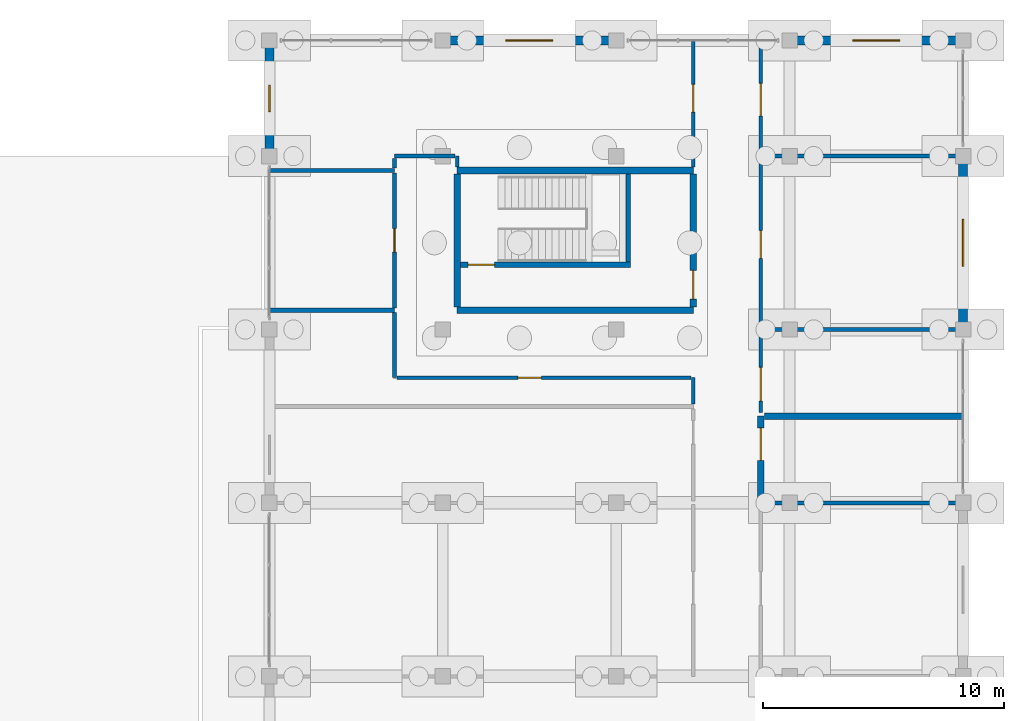
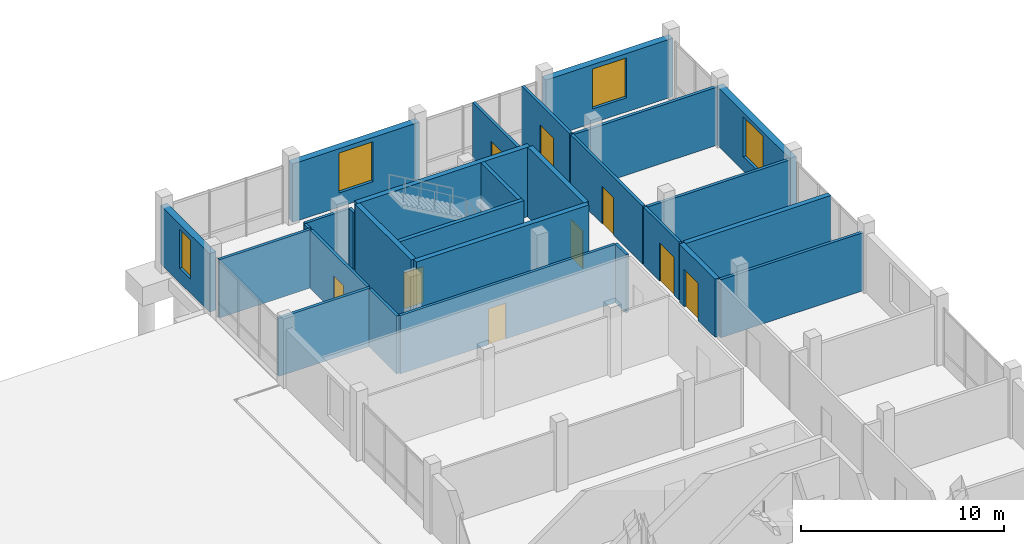
# One storey, part 85 of 98: 28 walls, 9 doors, 4 windows, 13 openings.
"""IFC4 building model written with IfcOpenShell, lengths in metres."""

import ifcopenshell
import ifcopenshell.guid

model = None  # the IFC model being written
_history = None  # IfcOwnerHistory: only IFC2X3 demands one
_inside = {}  # id of a spatial element -> (the spatial element, [elements in it])
_under = {}  # id of a project, library or spatial element -> (it, [spatial elements below it])
_declared = {}  # id of a project -> (the project, [libraries it declares])
_typed = {}  # id of a type object -> (the type object, [elements of that type])
_made_of = {}  # id of a material, layer set ... -> (it, [elements and type objects made of it])


def new_model(schema):
    """Start an empty IFC model of exactly this schema.

    Asked for "IFC4X3", IfcOpenShell would pick the latest addendum, in which some entities
    have other attributes; the version numbers below select the first issue.
    IFC2X3 requires an IfcOwnerHistory on every rooted entity: one is made here for all.
    """
    global model, _history
    if schema == "IFC4X3":
        model = ifcopenshell.file(schema_version=(4, 3, 0, 0))
    else:
        model = ifcopenshell.file(schema=schema)
    _inside.clear()
    _under.clear()
    _declared.clear()
    _typed.clear()
    _made_of.clear()
    _history = None
    if model.schema == "IFC2X3":
        org = make("IfcOrganization", Name="unknown")
        user = make(
            "IfcPersonAndOrganization",
            ThePerson=make("IfcPerson", FamilyName="unknown"),
            TheOrganization=org,
        )
        app = make(
            "IfcApplication",
            ApplicationDeveloper=org,
            Version="unknown",
            ApplicationFullName="unknown",
            ApplicationIdentifier="unknown",
        )
        _history = make(
            "IfcOwnerHistory",
            OwningUser=user,
            OwningApplication=app,
            ChangeAction="ADDED",
            CreationDate=0,
        )
    return model


def make(cls, **values):
    """One entity of the class cls with the attributes given. An attribute that is None is left unset."""
    return model.create_entity(
        cls, **{name: value for name, value in values.items() if value is not None}
    )


def rooted(cls, **values):
    """An entity with a GlobalId (a new one), such as an element, a storey or a relation."""
    return make(cls, GlobalId=ifcopenshell.guid.new(), OwnerHistory=_history, **values)


def si_unit(unit_type, name, prefix=None):
    """IfcSIUnit, for example si_unit("LENGTHUNIT", "METRE", prefix="MILLI")."""
    return make("IfcSIUnit", UnitType=unit_type, Prefix=prefix, Name=name)


def assignment(units):
    """IfcUnitAssignment: the units of a project."""
    return None if units is None else make("IfcUnitAssignment", Units=units)


def point(xyz):
    """IfcCartesianPoint."""
    return None if xyz is None else make("IfcCartesianPoint", Coordinates=xyz)


def direction(xyz):
    """IfcDirection."""
    return None if xyz is None else make("IfcDirection", DirectionRatios=xyz)


def frame(location, z_axis=None, x_axis=None):
    """IfcAxis2Placement3D, a coordinate frame: its origin and axes. An axis left out is left unset."""
    return make(
        "IfcAxis2Placement3D",
        Location=point(location),
        Axis=direction(z_axis),
        RefDirection=direction(x_axis),
    )


def frame_2d(location, x_axis=None):
    """IfcAxis2Placement2D, a coordinate frame in the plane: its origin and x axis."""
    return make(
        "IfcAxis2Placement2D", Location=point(location), RefDirection=direction(x_axis)
    )


def origin():
    """The frame at (0, 0, 0) with its axes left unset."""
    return frame((0.0, 0.0, 0.0))


def place(relative_to, where):
    """IfcLocalPlacement: puts the frame where relative to a parent placement (None: the world)."""
    return make(
        "IfcLocalPlacement", PlacementRelTo=relative_to, RelativePlacement=where
    )


def context(
    kind, dimensions, precision=None, world=None, true_north=None, identifier=None
):
    """IfcGeometricRepresentationContext, for example the 3D "Model" context."""
    return make(
        "IfcGeometricRepresentationContext",
        ContextIdentifier=identifier,
        ContextType=kind,
        CoordinateSpaceDimension=dimensions,
        Precision=precision,
        WorldCoordinateSystem=world,
        TrueNorth=true_north,
    )


def subcontext(parent, identifier, kind, view, scale=None):
    """IfcGeometricRepresentationSubContext, for example "Body" below "Model"."""
    return make(
        "IfcGeometricRepresentationSubContext",
        ContextIdentifier=identifier,
        ContextType=kind,
        ParentContext=parent,
        TargetScale=scale,
        TargetView=view,
    )


def project(units=None, contexts=None):
    """IfcProject with its units and contexts."""
    return rooted(
        "IfcProject",
        Name="project",
        RepresentationContexts=contexts,
        UnitsInContext=assignment(units),
    )


def spatial(cls, under=None, at=None, **own):
    """A site, building, storey or space (cls), placed at a placement, below another one or the project."""
    s = rooted(cls, ObjectPlacement=at, **own)
    if under is not None:
        _under.setdefault(under.id(), (under, []))[1].append(s)
    return s


def profile(cls, at=None, kind="AREA", **sizes):
    """A parametric profile (cls). Its sizes go by their IFC names, for example OverallWidth=200.0."""
    return make(cls, ProfileType=kind, Position=at, **sizes)


def rectangle(**sizes):
    """IfcRectangleProfileDef."""
    return profile("IfcRectangleProfileDef", **sizes)


def extrude(swept, where, along, depth):
    """IfcExtrudedAreaSolid: the profile swept, set in the frame where, extruded along a direction by depth."""
    return make(
        "IfcExtrudedAreaSolid",
        SweptArea=swept,
        Position=where,
        ExtrudedDirection=direction(along),
        Depth=depth,
    )


def shape(context_of_items, identifier, shape_type, items):
    """IfcShapeRepresentation: the items that make up one representation, for example the "Body"."""
    return make(
        "IfcShapeRepresentation",
        ContextOfItems=context_of_items,
        RepresentationIdentifier=identifier,
        RepresentationType=shape_type,
        Items=items,
    )


def material(Name=None, Category=None):
    """IfcMaterial."""
    return make("IfcMaterial", Name=Name, Category=Category)


def layer(
    of_material, thickness, ventilated=None, Name=None, Category=None, Priority=None
):
    """IfcMaterialLayer: one layer of a wall or slab, of a material (None: an air gap)."""
    return make(
        "IfcMaterialLayer",
        Material=of_material,
        LayerThickness=thickness,
        IsVentilated=ventilated,
        Name=Name,
        Category=Category,
        Priority=Priority,
    )


def layer_set(layers, Name=None):
    """IfcMaterialLayerSet."""
    return make("IfcMaterialLayerSet", MaterialLayers=layers, LayerSetName=Name)


def made_of(thing, what):
    """Note that an element or type object is made of a material, layer set ...; save() writes the relation."""
    if what is not None:
        _made_of.setdefault(what.id(), (what, []))[1].append(thing)
    return thing


def type_object(cls, material=None, **own):
    """A type object (cls), such as IfcWallType, which elements share."""
    return made_of(rooted(cls, **own), material)


def element(
    cls,
    number,
    at=None,
    inside=None,
    cuts=None,
    type_object=None,
    material=None,
    context=None,
    identifier="Body",
    shape_type=None,
    held_by="IfcProductDefinitionShape",
    body=None,
    shapes=None,
    **own,
):
    """One element of the class cls, such as IfcWall. Its Tag is "e" and its number.

    at: its placement. inside: the storey or other place that contains it. cuts: it is an
    opening in that element (IfcRelVoidsElement). A single representation is given by context,
    identifier, shape_type and body (its items); several are given by shapes. held_by: the class
    of the entity that holds the representations. save() writes the other relations.
    """
    e = rooted(cls, Tag="e%d" % number, ObjectPlacement=at, **own)
    if body is not None:
        shapes = [shape(context, identifier, shape_type, body)]
    if shapes is not None:
        e.Representation = make(held_by, Representations=shapes)
    if inside is not None:
        _inside.setdefault(inside.id(), (inside, []))[1].append(e)
    if cuts is not None:
        rooted(
            "IfcRelVoidsElement", RelatingBuildingElement=cuts, RelatedOpeningElement=e
        )
    if type_object is not None:
        _typed.setdefault(type_object.id(), (type_object, []))[1].append(e)
    return made_of(e, material)


def fill(opening, filler):
    """IfcRelFillsElement: the door or window that sits in an opening."""
    return rooted(
        "IfcRelFillsElement",
        RelatingOpeningElement=opening,
        RelatedBuildingElement=filler,
    )


def aggregate(whole, parts):
    """IfcRelAggregates: a whole, such as a stair, and the parts it consists of."""
    return rooted("IfcRelAggregates", RelatingObject=whole, RelatedObjects=parts)


def save(model, path):
    """Write the relations noted so far, then the file.

    IfcRelAggregates (storeys below a building ...), IfcRelContainedInSpatialStructure (elements
    in a storey), IfcRelDefinesByType, IfcRelAssociatesMaterial and IfcRelDeclares: one each for
    every whole, place, type object, material and project.
    """
    for whole, parts in _under.values():
        aggregate(whole, parts)
    for where, things in _inside.values():
        rooted(
            "IfcRelContainedInSpatialStructure",
            RelatedElements=things,
            RelatingStructure=where,
        )
    for kind, things in _typed.values():
        rooted("IfcRelDefinesByType", RelatedObjects=things, RelatingType=kind)
    for what, things in _made_of.values():
        rooted("IfcRelAssociatesMaterial", RelatedObjects=things, RelatingMaterial=what)
    for by, libraries in _declared.values():
        rooted("IfcRelDeclares", RelatingContext=by, RelatedDefinitions=libraries)
    model.write(path)


model = new_model("IFC4")

# Units and contexts
model_context = context("Model", 3, precision=1e-05, world=origin(), true_north=direction((0.0, 1.0)))
body_context = subcontext(model_context, "Body", "Model", "MODEL_VIEW")
ifc_project = project(units=[si_unit("LENGTHUNIT", "METRE"), si_unit("AREAUNIT", "SQUARE_METRE"), si_unit("VOLUMEUNIT", "CUBIC_METRE"), si_unit("PLANEANGLEUNIT", "RADIAN"), si_unit("MASSUNIT", "GRAM", prefix="KILO")], contexts=[model_context])

# Site, building, storey
site_placement = place(None, origin())
site = spatial("IfcSite", under=ifc_project, at=site_placement, CompositionType="ELEMENT")
building_placement = place(site_placement, origin())
building = spatial("IfcBuilding", under=site, at=building_placement, Name="Zornivar Specialist Clinic", CompositionType="ELEMENT")
storey_placement = place(building_placement, origin())
storey = spatial("IfcBuildingStorey", under=building, at=storey_placement, Name="L00", CompositionType="ELEMENT", Elevation=0.0)

# Wall, opening, window
ifc_material_1 = material(Name="Masonry Vratsa Limestone and Brick Banded Wall", Category="masonry")
ifc_layer_1 = layer(ifc_material_1, 0.3798828125)
ifc_layer_set_1 = layer_set([ifc_layer_1], Name="Masonry Vratsa Limestone and Brick Banded Wall")
wall_type_1 = type_object("IfcWallType", Name="EW-LIMESTONE-380", PredefinedType="SOLIDWALL", material=ifc_layer_set_1)
wall_1_placement = place(storey_placement, frame((165.60009765625, 100.800048828125, 0.0), z_axis=(0.0, 0.0, 1.0), x_axis=(0.0, 1.0, 0.0)))
wall_1 = element("IfcWall", 1, at=wall_1_placement, inside=storey, type_object=wall_type_1, Name="ew:V6:L00:09", PredefinedType="SOLIDWALL", context=body_context, shape_type="SweptSolid", body=[
    extrude(rectangle(XDim=7.199951171875, YDim=0.3798828125, at=frame_2d((3.60009765625, 0.0))), origin(), (0.0, 0.0, 1.0), 3.510009765625),
])
opening_1_placement = place(wall_1_placement, frame((2.625, 0.0, 0.85009765625)))
opening_1 = element("IfcOpeningElement", 2, at=opening_1_placement, cuts=wall_1, Name="Opening W-19", PredefinedType="OPENING", context=body_context, shape_type="SweptSolid", body=[
    extrude(rectangle(XDim=1.949951171875, YDim=2.39990234375, at=frame_2d((0.97509765625, 1.199951171875))), frame((0.0, 0.199951171875, 0.0), z_axis=(0.0, -1.0, 0.0), x_axis=(1.0, 0.0, 0.0)), (0.0, 0.0, 1.0), 0.39990234375),
])
ifc_material_2 = material(Name="Triple-Glazed Aluminium-Timber Window Glass", Category="wood")
window_type_1 = type_object("IfcWindowType", Name="WIN-TEACH-GND-1950x2400", PartitioningType="SINGLE_PANEL", PredefinedType="WINDOW", material=ifc_material_2)
window_1_placement = place(opening_1_placement, origin())
window_1 = element("IfcWindow", 3, at=window_1_placement, inside=storey, type_object=window_type_1, Name="win:V6:L00:09", OverallHeight=2.39990234375, OverallWidth=1.949951171875, PartitioningType="SINGLE_PANEL", PredefinedType="WINDOW", context=body_context, shape_type="SweptSolid", body=[
    extrude(rectangle(XDim=1.949951171875, YDim=2.39990234375, at=frame_2d((0.97509765625, 1.199951171875))), frame((0.0, 0.030029296875, 0.0), z_axis=(0.0, -1.0, 0.0), x_axis=(1.0, 0.0, 0.0)), (0.0, 0.0, 1.0), 0.06005859375),
])
fill(opening_1, window_1)

wall_2_placement = place(storey_placement, frame((165.60009765625, 112.800048828125, 0.0), z_axis=(0.0, 0.0, 1.0), x_axis=(-1.0, 0.0, 0.0)))
wall_2 = element("IfcWall", 4, at=wall_2_placement, inside=storey, type_object=wall_type_1, Name="ew:V6:L00:11", PredefinedType="SOLIDWALL", context=body_context, shape_type="SweptSolid", body=[
    extrude(rectangle(XDim=7.2001953125, YDim=0.3798828125, at=frame_2d((3.60009765625, 0.0))), origin(), (0.0, 0.0, 1.0), 3.510009765625),
])
opening_2_placement = place(wall_2_placement, frame((2.625, 0.0, 0.85009765625)))
opening_2 = element("IfcOpeningElement", 5, at=opening_2_placement, cuts=wall_2, Name="Opening W-19", PredefinedType="OPENING", context=body_context, shape_type="SweptSolid", body=[
    extrude(rectangle(XDim=1.949951171875, YDim=2.39990234375, at=frame_2d((0.97509765625, 1.199951171875))), frame((0.0, 0.199951171875, 0.0), z_axis=(0.0, -1.0, 0.0), x_axis=(1.0, 0.0, 0.0)), (0.0, 0.0, 1.0), 0.39990234375),
])
window_2_placement = place(opening_2_placement, origin())
window_2 = element("IfcWindow", 6, at=window_2_placement, inside=storey, type_object=window_type_1, Name="win:V6:L00:11", OverallHeight=2.39990234375, OverallWidth=1.949951171875, PartitioningType="SINGLE_PANEL", PredefinedType="WINDOW", context=body_context, shape_type="SweptSolid", body=[
    extrude(rectangle(XDim=1.949951171875, YDim=2.39990234375, at=frame_2d((0.97509765625, 1.199951171875))), frame((0.0, 0.030029296875, 0.0), z_axis=(0.0, -1.0, 0.0), x_axis=(1.0, 0.0, 0.0)), (0.0, 0.0, 1.0), 0.06005859375),
])
fill(opening_2, window_2)

wall_3_placement = place(storey_placement, frame((151.199951171875, 112.800048828125, 0.0), z_axis=(0.0, 0.0, 1.0), x_axis=(-1.0, 0.0, 0.0)))
wall_3 = element("IfcWall", 7, at=wall_3_placement, inside=storey, type_object=wall_type_1, Name="ew:V6:L00:13", PredefinedType="SOLIDWALL", context=body_context, shape_type="SweptSolid", body=[
    extrude(rectangle(XDim=7.199951171875, YDim=0.3798828125, at=frame_2d((3.60009765625, 0.0))), origin(), (0.0, 0.0, 1.0), 3.510009765625),
])
opening_3_placement = place(wall_3_placement, frame((2.625, 0.0, 0.85009765625)))
opening_3 = element("IfcOpeningElement", 8, at=opening_3_placement, cuts=wall_3, Name="Opening W-19", PredefinedType="OPENING", context=body_context, shape_type="SweptSolid", body=[
    extrude(rectangle(XDim=1.949951171875, YDim=2.39990234375, at=frame_2d((0.97509765625, 1.199951171875))), frame((0.0, 0.199951171875, 0.0), z_axis=(0.0, -1.0, 0.0), x_axis=(1.0, 0.0, 0.0)), (0.0, 0.0, 1.0), 0.39990234375),
])
window_3_placement = place(opening_3_placement, origin())
window_3 = element("IfcWindow", 9, at=window_3_placement, inside=storey, type_object=window_type_1, Name="win:V6:L00:13", OverallHeight=2.39990234375, OverallWidth=1.949951171875, PartitioningType="SINGLE_PANEL", PredefinedType="WINDOW", context=body_context, shape_type="SweptSolid", body=[
    extrude(rectangle(XDim=1.949951171875, YDim=2.39990234375, at=frame_2d((0.97509765625, 1.199951171875))), frame((0.0, 0.030029296875, 0.0), z_axis=(0.0, -1.0, 0.0), x_axis=(1.0, 0.0, 0.0)), (0.0, 0.0, 1.0), 0.06005859375),
])
fill(opening_3, window_3)

wall_4_placement = place(storey_placement, frame((136.800048828125, 112.800048828125, 0.0), z_axis=(0.0, 0.0, 1.0), x_axis=(0.0, -1.0, 0.0)))
wall_4 = element("IfcWall", 10, at=wall_4_placement, inside=storey, type_object=wall_type_1, Name="ew:V6:L00:15", PredefinedType="SOLIDWALL", context=body_context, shape_type="SweptSolid", body=[
    extrude(rectangle(XDim=4.800048828125, YDim=0.3798828125, at=frame_2d((2.39990234375, 0.0))), origin(), (0.0, 0.0, 1.0), 3.510009765625),
])
opening_4_placement = place(wall_4_placement, frame((1.85009765625, 0.0, 0.85009765625)))
opening_4 = element("IfcOpeningElement", 11, at=opening_4_placement, cuts=wall_4, Name="Opening W-04", PredefinedType="OPENING", context=body_context, shape_type="SweptSolid", body=[
    extrude(rectangle(XDim=1.10009765625, YDim=2.35009765625, at=frame_2d((0.550048828125, 1.175048828125))), frame((0.0, 0.199951171875, 0.0), z_axis=(0.0, -1.0, 0.0), x_axis=(1.0, 0.0, 0.0)), (0.0, 0.0, 1.0), 0.39990234375),
])
ifc_material_3 = material(Name="Triple-Glazed Aluminium-Timber Window Glass", Category="wood")
window_type_2 = type_object("IfcWindowType", Name="WIN-PLINTH-PIER-1100x2350", PartitioningType="SINGLE_PANEL", PredefinedType="WINDOW", material=ifc_material_3)
window_4_placement = place(opening_4_placement, origin())
window_4 = element("IfcWindow", 12, at=window_4_placement, inside=storey, type_object=window_type_2, Name="win:V6:L00:15", OverallHeight=2.35009765625, OverallWidth=1.10009765625, PartitioningType="SINGLE_PANEL", PredefinedType="WINDOW", context=body_context, shape_type="SweptSolid", body=[
    extrude(rectangle(XDim=1.10009765625, YDim=2.35009765625, at=frame_2d((0.550048828125, 1.175048828125))), frame((0.0, 0.030029296875, 0.0), z_axis=(0.0, -1.0, 0.0), x_axis=(1.0, 0.0, 0.0)), (0.0, 0.0, 1.0), 0.06005859375),
])
fill(opening_4, window_4)

# Wall, opening, door
ifc_material_4 = material(Name="High-Mass Acoustic Auditorium and Audiometry Partition")
ifc_layer_2 = layer(ifc_material_4, 0.27001953125)
ifc_layer_set_2 = layer_set([ifc_layer_2], Name="High-Mass Acoustic Auditorium and Audiometry Partition")
wall_type_2 = type_object("IfcWallType", Name="IW-ACOUSTIC-AUD-270", PredefinedType="PARTITIONING", material=ifc_layer_set_2)
wall_5_placement = place(storey_placement, frame((157.199951171875, 93.698974609375, 0.0), z_axis=(0.0, 0.0, 1.0), x_axis=(0.0, 1.0, 0.0)))
wall_5 = element("IfcWall", 13, at=wall_5_placement, inside=storey, type_object=wall_type_2, Name="iw:L00:231", PredefinedType="PARTITIONING", context=body_context, shape_type="SweptSolid", body=[
    extrude(rectangle(XDim=3.5009765625, YDim=0.27001953125, at=frame_2d((1.75048828125, 0.0))), origin(), (0.0, 0.0, 1.0), 3.489990234375),
])
opening_5_placement = place(wall_5_placement, frame((1.6708984375, 0.0, 0.0)))
opening_5 = element("IfcOpeningElement", 14, at=opening_5_placement, cuts=wall_5, Name="Opening ID-10", PredefinedType="OPENING", context=body_context, shape_type="SweptSolid", body=[
    extrude(rectangle(XDim=1.35009765625, YDim=2.25, at=frame_2d((0.675048828125, 1.125))), frame((0.0, 0.14501953125, 0.0), z_axis=(0.0, -1.0, 0.0), x_axis=(1.0, 0.0, 0.0)), (0.0, 0.0, 1.0), 0.2900390625),
])
ifc_material_5 = material(Name="Solid-Core Hygienic Laminate Timber Door", Category="wood")
door_type_1 = type_object("IfcDoorType", Name="ID-TEACH-1350x2250", OperationType="NOTDEFINED", PredefinedType="DOOR", material=ifc_material_5)
door_1_placement = place(opening_5_placement, origin())
door_1 = element("IfcDoor", 15, at=door_1_placement, inside=storey, type_object=door_type_1, Name="door:space:V6:L00:rm:12", OperationType="SINGLE_SWING_RIGHT", OverallHeight=2.25, OverallWidth=1.35009765625, PredefinedType="DOOR", context=body_context, shape_type="SweptSolid", body=[
    extrude(rectangle(XDim=1.35009765625, YDim=2.25, at=frame_2d((0.675048828125, 1.125))), frame((0.0, 0.02490234375, 0.0), z_axis=(0.0, -1.0, 0.0), x_axis=(1.0, 0.0, 0.0)), (0.0, 0.0, 1.0), 0.050048828125),
])
fill(opening_5, door_1)

# Walls
wall_6_placement = place(storey_placement, frame((157.34912109375, 97.199951171875, 0.0), z_axis=(0.0, 0.0, 1.0), x_axis=(1.0, 0.0, 0.0)))
element("IfcWall", 16, at=wall_6_placement, inside=storey, type_object=wall_type_2, Name="iw:L00:232", PredefinedType="PARTITIONING", context=body_context, shape_type="SweptSolid", body=[
    extrude(rectangle(XDim=8.2509765625, YDim=0.27001953125, at=frame_2d((4.12548828125, 0.0))), origin(), (0.0, 0.0, 1.0), 3.489990234375),
])
ifc_material_6 = material(Name="Gypsum Fire-Rated Double Stud Partition")
ifc_layer_3 = layer(ifc_material_6, 0.159912109375)
ifc_layer_set_3 = layer_set([ifc_layer_3], Name="Gypsum Fire-Rated Double Stud Partition")
wall_type_3 = type_object("IfcWallType", Name="IW-CORR-EI60-160", PredefinedType="PARTITIONING", material=ifc_layer_set_3)
wall_7_placement = place(storey_placement, frame((154.39990234375, 98.800048828125, 0.0), z_axis=(0.0, 0.0, 1.0), x_axis=(0.0, -1.0, 0.0)))
element("IfcWall", 17, at=wall_7_placement, inside=storey, type_object=wall_type_3, Name="iw:L00:213", PredefinedType="PARTITIONING", context=body_context, shape_type="SweptSolid", body=[
    extrude(rectangle(XDim=1.10107421875, YDim=0.159912109375, at=frame_2d((0.550537109375, 0.0))), origin(), (0.0, 0.0, 1.0), 3.489990234375),
])
wall_8_placement = place(storey_placement, frame((142.0, 101.5009765625, 0.0), z_axis=(0.0, 0.0, 1.0), x_axis=(0.0, -1.0, 0.0)))
element("IfcWall", 18, at=wall_8_placement, inside=storey, type_object=wall_type_3, Name="iw:L00:215", PredefinedType="PARTITIONING", context=body_context, shape_type="SweptSolid", body=[
    extrude(rectangle(XDim=2.700927734375, YDim=0.159912109375, at=frame_2d((1.3505859375, 0.0))), origin(), (0.0, 0.0, 1.0), 3.489990234375),
])

# Wall, opening, door
wall_9_placement = place(storey_placement, frame((142.093994140625, 98.800048828125, 0.0), z_axis=(0.0, 0.0, 1.0), x_axis=(1.0, 0.0, 0.0)))
wall_9 = element("IfcWall", 19, at=wall_9_placement, inside=storey, type_object=wall_type_3, Name="iw:L00:216", PredefinedType="PARTITIONING", context=body_context, shape_type="SweptSolid", body=[
    extrude(rectangle(XDim=12.2119140625, YDim=0.159912109375, at=frame_2d((6.10595703125, 0.0))), origin(), (0.0, 0.0, 1.0), 3.489990234375),
])
opening_6_placement = place(wall_9_placement, frame((5.01904296875, 0.0, 0.0)))
opening_6 = element("IfcOpeningElement", 20, at=opening_6_placement, cuts=wall_9, Name="Opening ID-09", PredefinedType="OPENING", context=body_context, shape_type="SweptSolid", body=[
    extrude(rectangle(XDim=0.97998046875, YDim=2.14990234375, at=frame_2d((0.489990234375, 1.074951171875))), frame((0.0, 0.08984375, 0.0), z_axis=(0.0, -1.0, 0.0), x_axis=(1.0, 0.0, 0.0)), (0.0, 0.0, 1.0), 0.179931640625),
])
ifc_material_7 = material(Name="Solid-Core Hygienic Laminate Timber Door", Category="wood")
door_type_2 = type_object("IfcDoorType", Name="ID-STAFF-0980x2150", OperationType="NOTDEFINED", PredefinedType="DOOR", material=ifc_material_7)
door_2_placement = place(opening_6_placement, origin())
door_2 = element("IfcDoor", 21, at=door_2_placement, inside=storey, type_object=door_type_2, Name="door:space:V6:L00:rm:05", OperationType="SINGLE_SWING_LEFT", OverallHeight=2.14990234375, OverallWidth=0.97998046875, PredefinedType="DOOR", context=body_context, shape_type="SweptSolid", body=[
    extrude(rectangle(XDim=0.97998046875, YDim=2.14990234375, at=frame_2d((0.489990234375, 1.074951171875))), frame((0.0, 0.02490234375, 0.0), z_axis=(0.0, -1.0, 0.0), x_axis=(1.0, 0.0, 0.0)), (0.0, 0.0, 1.0), 0.050048828125),
])
fill(opening_6, door_2)

wall_10_placement = place(storey_placement, frame((142.0, 107.301025390625, 0.0), z_axis=(0.0, 0.0, 1.0), x_axis=(0.0, -1.0, 0.0)))
wall_10 = element("IfcWall", 22, at=wall_10_placement, inside=storey, type_object=wall_type_3, Name="iw:L00:218", PredefinedType="PARTITIONING", context=body_context, shape_type="SweptSolid", body=[
    extrude(rectangle(XDim=5.60205078125, YDim=0.159912109375, at=frame_2d((2.801025390625, 0.0))), origin(), (0.0, 0.0, 1.0), 3.489990234375),
])
opening_7_placement = place(wall_10_placement, frame((2.31103515625, 0.0, 0.0)))
opening_7 = element("IfcOpeningElement", 23, at=opening_7_placement, cuts=wall_10, Name="Opening ID-09", PredefinedType="OPENING", context=body_context, shape_type="SweptSolid", body=[
    extrude(rectangle(XDim=0.97998046875, YDim=2.14990234375, at=frame_2d((0.489990234375, 1.074951171875))), frame((0.0, 0.08984375, 0.0), z_axis=(0.0, -1.0, 0.0), x_axis=(1.0, 0.0, 0.0)), (0.0, 0.0, 1.0), 0.179931640625),
])
door_3_placement = place(opening_7_placement, origin())
door_3 = element("IfcDoor", 24, at=door_3_placement, inside=storey, type_object=door_type_2, Name="door:space:V6:L00:rm:06", OperationType="SINGLE_SWING_RIGHT", OverallHeight=2.14990234375, OverallWidth=0.97998046875, PredefinedType="DOOR", context=body_context, shape_type="SweptSolid", body=[
    extrude(rectangle(XDim=0.97998046875, YDim=2.14990234375, at=frame_2d((0.489990234375, 1.074951171875))), frame((0.0, 0.02490234375, 0.0), z_axis=(0.0, -1.0, 0.0), x_axis=(1.0, 0.0, 0.0)), (0.0, 0.0, 1.0), 0.050048828125),
])
fill(opening_7, door_3)

# Walls
wall_11_placement = place(storey_placement, frame((144.60009765625, 107.554931640625, 0.0), z_axis=(0.0, 0.0, 1.0), x_axis=(0.0, 1.0, 0.0)))
element("IfcWall", 25, at=wall_11_placement, inside=storey, type_object=wall_type_3, Name="iw:L00:219", PredefinedType="PARTITIONING", context=body_context, shape_type="SweptSolid", body=[
    extrude(rectangle(XDim=0.445068359375, YDim=0.159912109375, at=frame_2d((0.22265625, 0.0))), origin(), (0.0, 0.0, 1.0), 3.489990234375),
])
wall_12_placement = place(storey_placement, frame((144.506103515625, 108.0, 0.0), z_axis=(0.0, 0.0, 1.0), x_axis=(-1.0, 0.0, 0.0)))
element("IfcWall", 26, at=wall_12_placement, inside=storey, type_object=wall_type_3, Name="iw:L00:220", PredefinedType="PARTITIONING", context=body_context, shape_type="SweptSolid", body=[
    extrude(rectangle(XDim=2.506103515625, YDim=0.159912109375, at=frame_2d((1.2529296875, 0.0))), origin(), (0.0, 0.0, 1.0), 3.489990234375),
])
wall_13_placement = place(storey_placement, frame((142.0, 107.906005859375, 0.0), z_axis=(0.0, 0.0, 1.0), x_axis=(0.0, -1.0, 0.0)))
element("IfcWall", 27, at=wall_13_placement, inside=storey, type_object=wall_type_3, Name="iw:L00:221", PredefinedType="PARTITIONING", context=body_context, shape_type="SweptSolid", body=[
    extrude(rectangle(XDim=0.406982421875, YDim=0.159912109375, at=frame_2d((0.20361328125, 0.0))), origin(), (0.0, 0.0, 1.0), 3.489990234375),
])

# Wall, opening, door
wall_14_placement = place(storey_placement, frame((154.39990234375, 112.800048828125, 0.0), z_axis=(0.0, 0.0, 1.0), x_axis=(0.0, -1.0, 0.0)))
wall_14 = element("IfcWall", 28, at=wall_14_placement, inside=storey, type_object=wall_type_3, Name="iw:L00:222", PredefinedType="PARTITIONING", context=body_context, shape_type="SweptSolid", body=[
    extrude(rectangle(XDim=5.2451171875, YDim=0.159912109375, at=frame_2d((2.62255859375, 0.0))), origin(), (0.0, 0.0, 1.0), 3.489990234375),
])
opening_8_placement = place(wall_14_placement, frame((1.823974609375, 0.0, 0.0)))
opening_8 = element("IfcOpeningElement", 29, at=opening_8_placement, cuts=wall_14, Name="Opening ID-06", PredefinedType="OPENING", context=body_context, shape_type="SweptSolid", body=[
    extrude(rectangle(XDim=1.14990234375, YDim=2.25, at=frame_2d((0.574951171875, 1.125))), frame((0.0, 0.08984375, 0.0), z_axis=(0.0, -1.0, 0.0), x_axis=(1.0, 0.0, 0.0)), (0.0, 0.0, 1.0), 0.179931640625),
])
ifc_material_8 = material(Name="Solid-Core Hygienic Laminate Timber Door", Category="wood")
door_type_3 = type_object("IfcDoorType", Name="ID-LAB-1150x2250", OperationType="NOTDEFINED", PredefinedType="DOOR", material=ifc_material_8)
door_4_placement = place(opening_8_placement, origin())
door_4 = element("IfcDoor", 30, at=door_4_placement, inside=storey, type_object=door_type_3, Name="door:space:V6:L00:rm:07", OperationType="SINGLE_SWING_LEFT", OverallHeight=2.25, OverallWidth=1.14990234375, PredefinedType="DOOR", context=body_context, shape_type="SweptSolid", body=[
    extrude(rectangle(XDim=1.14990234375, YDim=2.25, at=frame_2d((0.574951171875, 1.125))), frame((0.0, 0.02490234375, 0.0), z_axis=(0.0, -1.0, 0.0), x_axis=(1.0, 0.0, 0.0)), (0.0, 0.0, 1.0), 0.050048828125),
])
fill(opening_8, door_4)

wall_15_placement = place(storey_placement, frame((157.199951171875, 97.34912109375, 0.0), z_axis=(0.0, 0.0, 1.0), x_axis=(0.0, 1.0, 0.0)))
wall_15 = element("IfcWall", 31, at=wall_15_placement, inside=storey, type_object=wall_type_3, Name="iw:L00:233", PredefinedType="PARTITIONING", context=body_context, shape_type="SweptSolid", body=[
    extrude(rectangle(XDim=3.450927734375, YDim=0.159912109375, at=frame_2d((1.7255859375, 0.0))), origin(), (0.0, 0.0, 1.0), 3.489990234375),
])
opening_9_placement = place(wall_15_placement, frame((0.47998046875, 0.0, 0.0)))
opening_9 = element("IfcOpeningElement", 32, at=opening_9_placement, cuts=wall_15, Name="Opening ID-12", PredefinedType="OPENING", context=body_context, shape_type="SweptSolid", body=[
    extrude(rectangle(XDim=1.39990234375, YDim=2.300048828125, at=frame_2d((0.699951171875, 1.14990234375))), frame((0.0, 0.08984375, 0.0), z_axis=(0.0, -1.0, 0.0), x_axis=(1.0, 0.0, 0.0)), (0.0, 0.0, 1.0), 0.179931640625),
])
ifc_material_9 = material(Name="Solid-Core Hygienic Laminate Timber Door", Category="wood")
door_type_4 = type_object("IfcDoorType", Name="ID-WAIT-1400x2300", OperationType="NOTDEFINED", PredefinedType="DOOR", material=ifc_material_9)
door_5_placement = place(opening_9_placement, origin())
door_5 = element("IfcDoor", 33, at=door_5_placement, inside=storey, type_object=door_type_4, Name="door:space:V6:L00:rm:13", OperationType="DOUBLE_DOOR_SINGLE_SWING", OverallHeight=2.300048828125, OverallWidth=1.39990234375, PredefinedType="DOOR", context=body_context, shape_type="SweptSolid", body=[
    extrude(rectangle(XDim=1.39990234375, YDim=2.300048828125, at=frame_2d((0.699951171875, 1.14990234375))), frame((0.0, 0.02490234375, 0.0), z_axis=(0.0, -1.0, 0.0), x_axis=(1.0, 0.0, 0.0)), (0.0, 0.0, 1.0), 0.050048828125),
])
fill(opening_9, door_5)

wall_16_placement = place(storey_placement, frame((157.199951171875, 100.89892578125, 0.0), z_axis=(0.0, 0.0, 1.0), x_axis=(0.0, 1.0, 0.0)))
wall_16 = element("IfcWall", 34, at=wall_16_placement, inside=storey, type_object=wall_type_3, Name="iw:L00:235", PredefinedType="PARTITIONING", context=body_context, shape_type="SweptSolid", body=[
    extrude(rectangle(XDim=7.10107421875, YDim=0.159912109375, at=frame_2d((3.550537109375, 0.0))), origin(), (0.0, 0.0, 1.0), 3.489990234375),
])
opening_10_placement = place(wall_16_placement, frame((2.85693359375, 0.0, 0.0)))
opening_10 = element("IfcOpeningElement", 35, at=opening_10_placement, cuts=wall_16, Name="Opening ID-06", PredefinedType="OPENING", context=body_context, shape_type="SweptSolid", body=[
    extrude(rectangle(XDim=1.14990234375, YDim=2.25, at=frame_2d((0.574951171875, 1.125))), frame((0.0, 0.08984375, 0.0), z_axis=(0.0, -1.0, 0.0), x_axis=(1.0, 0.0, 0.0)), (0.0, 0.0, 1.0), 0.179931640625),
])
door_6_placement = place(opening_10_placement, origin())
door_6 = element("IfcDoor", 36, at=door_6_placement, inside=storey, type_object=door_type_3, Name="door:space:V6:L00:rm:14", OperationType="SINGLE_SWING_RIGHT", OverallHeight=2.25, OverallWidth=1.14990234375, PredefinedType="DOOR", context=body_context, shape_type="SweptSolid", body=[
    extrude(rectangle(XDim=1.14990234375, YDim=2.25, at=frame_2d((0.574951171875, 1.125))), frame((0.0, 0.02490234375, 0.0), z_axis=(0.0, -1.0, 0.0), x_axis=(1.0, 0.0, 0.0)), (0.0, 0.0, 1.0), 0.050048828125),
])
fill(opening_10, door_6)

wall_17_placement = place(storey_placement, frame((157.199951171875, 108.09912109375, 0.0), z_axis=(0.0, 0.0, 1.0), x_axis=(0.0, 1.0, 0.0)))
wall_17 = element("IfcWall", 37, at=wall_17_placement, inside=storey, type_object=wall_type_3, Name="iw:L00:237", PredefinedType="PARTITIONING", context=body_context, shape_type="SweptSolid", body=[
    extrude(rectangle(XDim=4.700927734375, YDim=0.159912109375, at=frame_2d((2.3505859375, 0.0))), origin(), (0.0, 0.0, 1.0), 3.489990234375),
])
opening_11_placement = place(wall_17_placement, frame((1.56689453125, 0.0, 0.0)))
opening_11 = element("IfcOpeningElement", 38, at=opening_11_placement, cuts=wall_17, Name="Opening ID-10", PredefinedType="OPENING", context=body_context, shape_type="SweptSolid", body=[
    extrude(rectangle(XDim=1.35009765625, YDim=2.25, at=frame_2d((0.675048828125, 1.125))), frame((0.0, 0.08984375, 0.0), z_axis=(0.0, -1.0, 0.0), x_axis=(1.0, 0.0, 0.0)), (0.0, 0.0, 1.0), 0.179931640625),
])
door_7_placement = place(opening_11_placement, origin())
door_7 = element("IfcDoor", 39, at=door_7_placement, inside=storey, type_object=door_type_1, Name="door:space:V6:L00:rm:15", OperationType="SINGLE_SWING_LEFT", OverallHeight=2.25, OverallWidth=1.35009765625, PredefinedType="DOOR", context=body_context, shape_type="SweptSolid", body=[
    extrude(rectangle(XDim=1.35009765625, YDim=2.25, at=frame_2d((0.675048828125, 1.125))), frame((0.0, 0.02490234375, 0.0), z_axis=(0.0, -1.0, 0.0), x_axis=(1.0, 0.0, 0.0)), (0.0, 0.0, 1.0), 0.050048828125),
])
fill(opening_11, door_7)

# Walls
ifc_material_10 = material(Name="Laboratory Chemical-Resistant Stud Partition")
ifc_layer_4 = layer(ifc_material_10, 0.169921875)
ifc_layer_set_4 = layer_set([ifc_layer_4], Name="Laboratory Chemical-Resistant Stud Partition")
wall_type_4 = type_object("IfcWallType", Name="IW-LAB-EI60-170", PredefinedType="PARTITIONING", material=ifc_layer_set_4)
for number, where, z_axis, x_axis, name in (
    (40, (136.800048828125, 101.60009765625, 0.0), (0.0, 0.0, 1.0), (1.0, 0.0, 0.0), "iw:L00:214"),
    (41, (136.800048828125, 107.39990234375, 0.0), (0.0, 0.0, 1.0), (1.0, 0.0, 0.0), "iw:L00:217"),
):
    element("IfcWall", number, at=place(storey_placement, frame(where, z_axis=z_axis, x_axis=x_axis)), inside=storey, type_object=wall_type_4, Name=name, PredefinedType="PARTITIONING", context=body_context, shape_type="SweptSolid", body=[
        extrude(rectangle(XDim=5.199951171875, YDim=0.169921875, at=frame_2d((2.60009765625, 0.0))), origin(), (0.0, 0.0, 1.0), 3.489990234375),
    ])
for number, where, z_axis, x_axis, name in (
    (42, (157.2939453125, 93.60009765625, 0.0), (0.0, 0.0, 1.0), (1.0, 0.0, 0.0), "iw:L00:230"),
    (43, (157.2939453125, 100.800048828125, 0.0), (0.0, 0.0, 1.0), (1.0, 0.0, 0.0), "iw:L00:234"),
    (44, (157.2939453125, 108.0, 0.0), (0.0, 0.0, 1.0), (1.0, 0.0, 0.0), "iw:L00:236"),
):
    element("IfcWall", number, at=place(storey_placement, frame(where, z_axis=z_axis, x_axis=x_axis)), inside=storey, type_object=wall_type_4, Name=name, PredefinedType="PARTITIONING", context=body_context, shape_type="SweptSolid", body=[
        extrude(rectangle(XDim=8.10107421875, YDim=0.169921875, at=frame_2d((4.050537109375, 0.0))), origin(), (0.0, 0.0, 1.0), 3.489990234375),
    ])
ifc_material_11 = material(Name="Concrete C35/45", Category="concrete")
ifc_layer_5 = layer(ifc_material_11, 0.280029296875)
ifc_layer_set_5 = layer_set([ifc_layer_5], Name="Concrete C35/45")
wall_type_5 = type_object("IfcWallType", Name="SW-CORE-280", PredefinedType="SHEAR", material=ifc_layer_set_5)
wall_18_placement = place(storey_placement, frame((144.60009765625, 101.60009765625, 0.0), z_axis=(0.0, 0.0, 1.0), x_axis=(1.0, 0.0, 0.0)))
element("IfcWall", 45, at=wall_18_placement, inside=storey, type_object=wall_type_5, Name="sw:C10:L00:w0", PredefinedType="SHEAR", context=body_context, shape_type="SweptSolid", body=[
    extrude(rectangle(XDim=9.7998046875, YDim=0.280029296875, at=frame_2d((4.89990234375, 0.0))), origin(), (0.0, 0.0, 1.0), 4.179931640625),
])

# Wall, opening, door
wall_19_placement = place(storey_placement, frame((154.39990234375, 101.739990234375, 0.0), z_axis=(0.0, 0.0, 1.0), x_axis=(0.0, 1.0, 0.0)))
wall_19 = element("IfcWall", 46, at=wall_19_placement, inside=storey, type_object=wall_type_5, Name="sw:C10:L00:w1", PredefinedType="SHEAR", context=body_context, shape_type="SweptSolid", body=[
    extrude(rectangle(XDim=5.52001953125, YDim=0.280029296875, at=frame_2d((2.760009765625, 0.0))), origin(), (0.0, 0.0, 1.0), 4.179931640625),
])
opening_12_placement = place(wall_19_placement, frame((0.320068359375, 0.0, 0.0)))
opening_12 = element("IfcOpeningElement", 47, at=opening_12_placement, cuts=wall_19, Name="Opening FD-01", PredefinedType="OPENING", context=body_context, shape_type="SweptSolid", body=[
    extrude(rectangle(XDim=1.199951171875, YDim=2.25, at=frame_2d((0.60009765625, 1.125))), frame((0.0, 0.14990234375, 0.0), z_axis=(0.0, -1.0, 0.0), x_axis=(1.0, 0.0, 0.0)), (0.0, 0.0, 1.0), 0.300048828125),
])
ifc_material_12 = material(Name="Solid-Core Hygienic Laminate Timber Door", Category="wood")
door_type_5 = type_object("IfcDoorType", Name="FD-LOBBY-MAIN-1200x2250", OperationType="NOTDEFINED", PredefinedType="DOOR", material=ifc_material_12)
door_8_placement = place(opening_12_placement, origin())
door_8 = element("IfcDoor", 48, at=door_8_placement, inside=storey, type_object=door_type_5, Name="door:C10:L00:lob", OperationType="SINGLE_SWING_RIGHT", OverallHeight=2.25, OverallWidth=1.199951171875, PredefinedType="DOOR", context=body_context, shape_type="SweptSolid", body=[
    extrude(rectangle(XDim=1.199951171875, YDim=2.25, at=frame_2d((0.60009765625, 1.125))), frame((0.0, 0.02490234375, 0.0), z_axis=(0.0, -1.0, 0.0), x_axis=(1.0, 0.0, 0.0)), (0.0, 0.0, 1.0), 0.050048828125),
])
fill(opening_12, door_8)

# Walls
wall_20_placement = place(storey_placement, frame((154.39990234375, 107.39990234375, 0.0), z_axis=(0.0, 0.0, 1.0), x_axis=(-1.0, 0.0, 0.0)))
element("IfcWall", 49, at=wall_20_placement, inside=storey, type_object=wall_type_5, Name="sw:C10:L00:w2", PredefinedType="SHEAR", context=body_context, shape_type="SweptSolid", body=[
    extrude(rectangle(XDim=9.7998046875, YDim=0.280029296875, at=frame_2d((4.89990234375, 0.0))), origin(), (0.0, 0.0, 1.0), 4.179931640625),
])
wall_21_placement = place(storey_placement, frame((144.60009765625, 107.260009765625, 0.0), z_axis=(0.0, 0.0, 1.0), x_axis=(0.0, -1.0, 0.0)))
element("IfcWall", 50, at=wall_21_placement, inside=storey, type_object=wall_type_5, Name="sw:C10:L00:w3", PredefinedType="SHEAR", context=body_context, shape_type="SweptSolid", body=[
    extrude(rectangle(XDim=5.52001953125, YDim=0.280029296875, at=frame_2d((2.760009765625, 0.0))), origin(), (0.0, 0.0, 1.0), 4.179931640625),
])
ifc_material_13 = material(Name="Concrete C30/37", Category="concrete")
ifc_layer_6 = layer(ifc_material_13, 0.199951171875)
ifc_layer_set_6 = layer_set([ifc_layer_6], Name="Concrete C30/37")
wall_type_6 = type_object("IfcWallType", Name="SW-LIFT-200", PredefinedType="SHEAR", material=ifc_layer_set_6)
wall_22_placement = place(storey_placement, frame((151.699951171875, 103.60009765625, 0.0), z_axis=(0.0, 0.0, 1.0), x_axis=(0.0, 1.0, 0.0)))
element("IfcWall", 51, at=wall_22_placement, inside=storey, type_object=wall_type_6, Name="sw:C10:L00:sdiv", PredefinedType="SHEAR", context=body_context, shape_type="SweptSolid", body=[
    extrude(rectangle(XDim=3.659912109375, YDim=0.199951171875, at=frame_2d((1.830078125, 0.0))), origin(), (0.0, 0.0, 1.0), 4.179931640625),
])

# Wall, opening, door
ifc_material_14 = material(Name="Concrete C30/37", Category="concrete")
ifc_layer_7 = layer(ifc_material_14, 0.219970703125)
ifc_layer_set_7 = layer_set([ifc_layer_7], Name="Concrete C30/37")
wall_type_7 = type_object("IfcWallType", Name="SW-SHAFT-220", PredefinedType="SHEAR", material=ifc_layer_set_7)
wall_23_placement = place(storey_placement, frame((144.739990234375, 103.489990234375, 0.0), z_axis=(0.0, 0.0, 1.0), x_axis=(1.0, 0.0, 0.0)))
wall_23 = element("IfcWall", 52, at=wall_23_placement, inside=storey, type_object=wall_type_7, Name="sw:C10:L00:stwall", PredefinedType="SHEAR", context=body_context, shape_type="SweptSolid", body=[
    extrude(rectangle(XDim=7.06005859375, YDim=0.219970703125, at=frame_2d((3.530029296875, 0.0))), origin(), (0.0, 0.0, 1.0), 4.179931640625),
])
opening_13_placement = place(wall_23_placement, frame((0.31005859375, 0.0, 0.0)))
opening_13 = element("IfcOpeningElement", 53, at=opening_13_placement, cuts=wall_23, Name="Opening FD-02", PredefinedType="OPENING", context=body_context, shape_type="SweptSolid", body=[
    extrude(rectangle(XDim=1.10009765625, YDim=2.14990234375, at=frame_2d((0.550048828125, 1.074951171875))), frame((0.0, 0.119873046875, 0.0), z_axis=(0.0, -1.0, 0.0), x_axis=(1.0, 0.0, 0.0)), (0.0, 0.0, 1.0), 0.239990234375),
])
ifc_material_15 = material(Name="Solid-Core Hygienic Laminate Timber Door", Category="wood")
door_type_6 = type_object("IfcDoorType", Name="FD-STAIR-1100x2150", OperationType="NOTDEFINED", PredefinedType="DOOR", material=ifc_material_15)
door_9_placement = place(opening_13_placement, origin())
door_9 = element("IfcDoor", 54, at=door_9_placement, inside=storey, type_object=door_type_6, Name="door:C10:L00:stair", OperationType="SINGLE_SWING_LEFT", OverallHeight=2.14990234375, OverallWidth=1.10009765625, PredefinedType="DOOR", context=body_context, shape_type="SweptSolid", body=[
    extrude(rectangle(XDim=1.10009765625, YDim=2.14990234375, at=frame_2d((0.550048828125, 1.074951171875))), frame((0.0, 0.02490234375, 0.0), z_axis=(0.0, -1.0, 0.0), x_axis=(1.0, 0.0, 0.0)), (0.0, 0.0, 1.0), 0.050048828125),
])
fill(opening_13, door_9)

save(model, "model.ifc")
